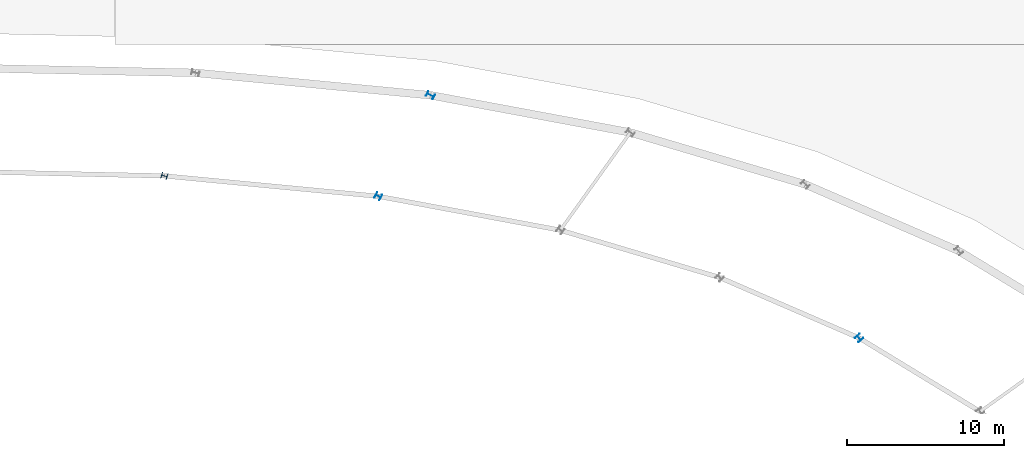
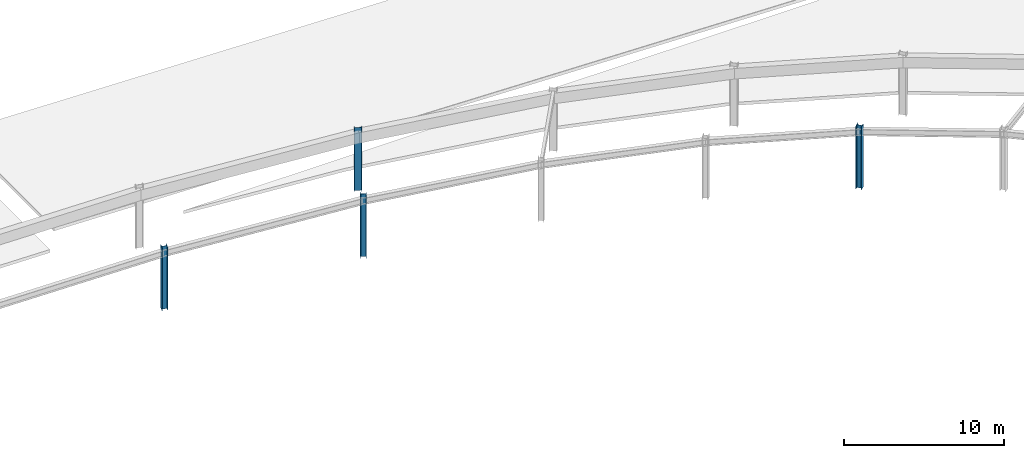
# One storey, part 10 of 45: 4 columns.
"""IFC4 building model written with IfcOpenShell, lengths in metres."""

from ifc_helpers import new_model, si_unit, direction, frame, origin, origin_2d, place, context, subcontext, project, spatial, i_section, extrude, material, material_profile, profile_set, type_object, element, save


model = new_model("IFC4")

# Units and contexts
model_context = context("Model", 3, precision=1e-05, world=origin(), true_north=direction((0.0, 1.0)))
body_context = subcontext(model_context, "Body", "Model", "MODEL_VIEW")
ifc_project = project(units=[si_unit("LENGTHUNIT", "METRE"), si_unit("AREAUNIT", "SQUARE_METRE"), si_unit("VOLUMEUNIT", "CUBIC_METRE"), si_unit("PLANEANGLEUNIT", "RADIAN"), si_unit("MASSUNIT", "GRAM", prefix="KILO")], contexts=[model_context])

# Site, building, storey
site_placement = place(None, origin())
site = spatial("IfcSite", under=ifc_project, at=site_placement, CompositionType="ELEMENT")
building_placement = place(site_placement, origin())
building = spatial("IfcBuilding", under=site, at=building_placement, Name="Mphavela Belvedere Stadium", CompositionType="ELEMENT")
storey_placement = place(building_placement, frame((0.0, 0.0, 24.0)))
storey = spatial("IfcBuildingStorey", under=building, at=storey_placement, Name="L05", CompositionType="ELEMENT", Elevation=24.0)

# Columns
ifc_material_1 = material(Name="Steel S355", Category="steel")
ifc_material_profile_1 = material_profile(ifc_material_1, i_section(OverallWidth=0.39501953125, OverallDepth=0.3798828125, WebThickness=0.0166015625, FlangeThickness=0.02587890625, at=origin_2d()), Name="HD 400x237")
ifc_profile_set_1 = profile_set([ifc_material_profile_1], Name="Steel S355")
column_type_1 = type_object("IfcColumnType", Name="COL-STEEL-HD400", PredefinedType="COLUMN", material=ifc_profile_set_1)
for number, where, z_axis, x_axis, name in (
    (1, (179.360107421875, 143.31689453125, 0.0), (0.0, 0.0, 1.0), (0.752529860433, 0.658558128912, 0.0), "Main bowl column L05 R3-08"),
    (2, (148.750244140625, 152.33544921875, 0.0), (0.0, 0.0, 1.0), (0.458959712465, 0.888457079624, 0.0), "Main bowl column L05 R3-11"),
    (3, (135.1328125, 153.634033203125, 0.0), (0.0, 0.0, 1.0), (0.289198876314, 0.957269037387, 0.0), "Main bowl column L05 R3-12"),
):
    element("IfcColumn", number, at=place(storey_placement, frame(where, z_axis=z_axis, x_axis=x_axis)), inside=storey, type_object=column_type_1, Name=name, PredefinedType="COLUMN", context=body_context, shape_type="SweptSolid", body=[
        extrude(i_section(OverallWidth=0.39501953125, OverallDepth=0.3798828125, WebThickness=0.0166015625, FlangeThickness=0.02587890625, at=origin_2d()), origin(), (0.0, 0.0, 1.0), 4.800048828125),
    ])
ifc_material_2 = material(Name="Steel S355", Category="steel")
ifc_material_profile_2 = material_profile(ifc_material_2, i_section(OverallWidth=0.300048828125, OverallDepth=0.5, WebThickness=0.014404296875, FlangeThickness=0.028076171875, at=origin_2d()), Name="HEB 500")
ifc_profile_set_2 = profile_set([ifc_material_profile_2], Name="Steel S355")
column_type_2 = type_object("IfcColumnType", Name="COL-STEEL-HEB500", PredefinedType="COLUMN", material=ifc_profile_set_2)
column_placement = place(storey_placement, frame((152.07275390625, 158.767333984375, 0.0), z_axis=(0.0, 0.0, 1.0), x_axis=(0.458959712465, 0.888457079624, 0.0)))
element("IfcColumn", 4, at=column_placement, inside=storey, type_object=column_type_2, Name="Outer colonnade column L05 R4-11", PredefinedType="COLUMN", context=body_context, shape_type="SweptSolid", body=[
    extrude(i_section(OverallWidth=0.300048828125, OverallDepth=0.5, WebThickness=0.014404296875, FlangeThickness=0.028076171875, at=origin_2d()), origin(), (0.0, 0.0, 1.0), 4.800048828125),
])

save(model, "model.ifc")
